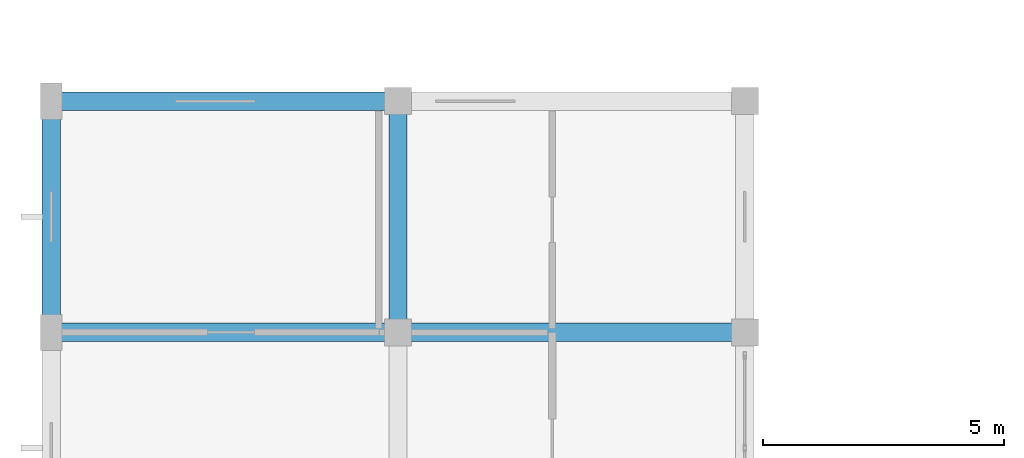
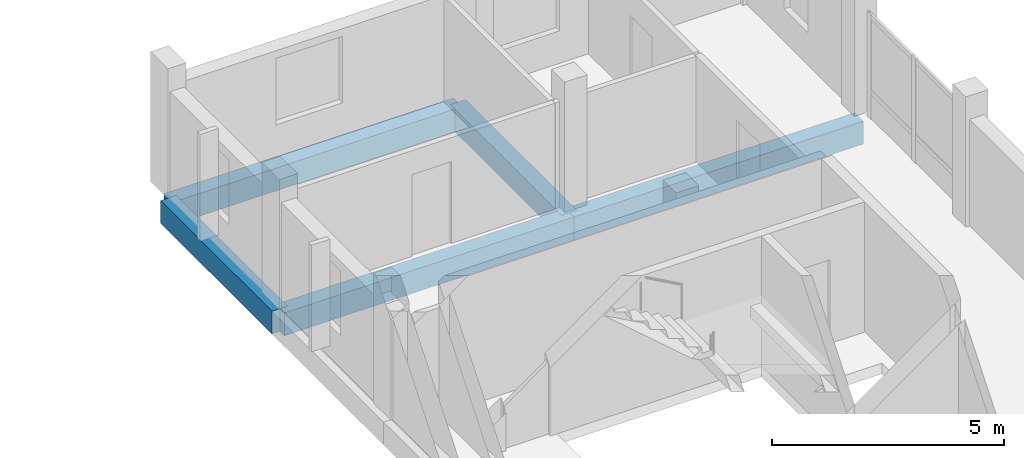
# One storey, part 15 of 84: 5 beams.
"""IFC4 building model written with IfcOpenShell, lengths in metres."""

from ifc_helpers import new_model, si_unit, direction, frame, origin, origin_2d, place, context, subcontext, project, spatial, rectangle, extrude, material, material_profile, profile_set, type_object, element, save


model = new_model("IFC4")

# Units and contexts
model_context = context("Model", 3, precision=1e-05, world=origin(), true_north=direction((0.0, 1.0)))
body_context = subcontext(model_context, "Body", "Model", "MODEL_VIEW")
ifc_project = project(units=[si_unit("LENGTHUNIT", "METRE"), si_unit("AREAUNIT", "SQUARE_METRE"), si_unit("VOLUMEUNIT", "CUBIC_METRE"), si_unit("PLANEANGLEUNIT", "RADIAN"), si_unit("MASSUNIT", "GRAM", prefix="KILO")], contexts=[model_context])

# Site, building, storey
site_placement = place(None, origin())
site = spatial("IfcSite", under=ifc_project, at=site_placement, CompositionType="ELEMENT")
building_placement = place(site_placement, origin())
building = spatial("IfcBuilding", under=site, at=building_placement, Name="Zornivar Specialist Clinic", CompositionType="ELEMENT")
storey_placement = place(building_placement, frame((0.0, 0.0, 12.300048828125)))
storey = spatial("IfcBuildingStorey", under=building, at=storey_placement, Name="L03", CompositionType="ELEMENT", Elevation=12.300048828125)

# Beams
ifc_material_1 = material(Name="Concrete C30/37", Category="concrete")
ifc_material_profile_1 = material_profile(ifc_material_1, rectangle(XDim=0.3798828125, YDim=0.60009765625, at=origin_2d()), Name="RC 380x600")
ifc_profile_set_1 = profile_set([ifc_material_profile_1], Name="Concrete C30/37")
beam_type_1 = type_object("IfcBeamType", Name="BM-RC-380x600", PredefinedType="BEAM", material=ifc_profile_set_1)
for number, where, z_axis, x_axis, name in (
    (1, (0.0, 48.0, -0.580078125), (1.0, 0.0, 0.0), (0.0, 1.0, 0.0), "bm:V2:L03:x:480:0"),
    (2, (7.199951171875, 48.0, -0.580078125), (1.0, 0.0, 0.0), (0.0, 1.0, 0.0), "bm:V2:L03:x:480:1"),
    (3, (0.0, 52.800048828125, -0.580078125), (1.0, 0.0, 0.0), (0.0, 1.0, 0.0), "bm:V2:L03:x:528:0"),
):
    element("IfcBeam", number, at=place(storey_placement, frame(where, z_axis=z_axis, x_axis=x_axis)), inside=storey, type_object=beam_type_1, Name=name, PredefinedType="BEAM", context=body_context, shape_type="SweptSolid", body=[
        extrude(rectangle(XDim=0.3798828125, YDim=0.60009765625, at=origin_2d()), origin(), (0.0, 0.0, 1.0), 7.199951171875),
    ])
beam_1_placement = place(storey_placement, frame((7.199951171875, 48.0, -0.580078125), z_axis=(0.0, 1.0, 0.0), x_axis=(-1.0, 0.0, 0.0)))
element("IfcBeam", 4, at=beam_1_placement, inside=storey, type_object=beam_type_1, Name="bm:V2:L03:y:72:7", PredefinedType="BEAM", context=body_context, shape_type="SweptSolid", body=[
    extrude(rectangle(XDim=0.3798828125, YDim=0.60009765625, at=origin_2d()), origin(), (0.0, 0.0, 1.0), 4.800048828125),
])
ifc_material_2 = material(Name="Concrete C30/37", Category="concrete")
ifc_material_profile_2 = material_profile(ifc_material_2, rectangle(XDim=0.389892578125, YDim=0.60009765625, at=origin_2d()), Name="RC 390x600")
ifc_profile_set_2 = profile_set([ifc_material_profile_2], Name="Concrete C30/37")
beam_type_2 = type_object("IfcBeamType", Name="BM-RC-SPANDREL-390x600", PredefinedType="SPANDREL", material=ifc_profile_set_2)
beam_2_placement = place(storey_placement, frame((0.0, 48.0, -0.580078125), z_axis=(0.0, 1.0, 0.0), x_axis=(-1.0, 0.0, 0.0)))
element("IfcBeam", 5, at=beam_2_placement, inside=storey, type_object=beam_type_2, Name="bm:V2:L03:y:0:7", PredefinedType="SPANDREL", context=body_context, shape_type="SweptSolid", body=[
    extrude(rectangle(XDim=0.389892578125, YDim=0.60009765625, at=origin_2d()), origin(), (0.0, 0.0, 1.0), 4.800048828125),
])

save(model, "model.ifc")
